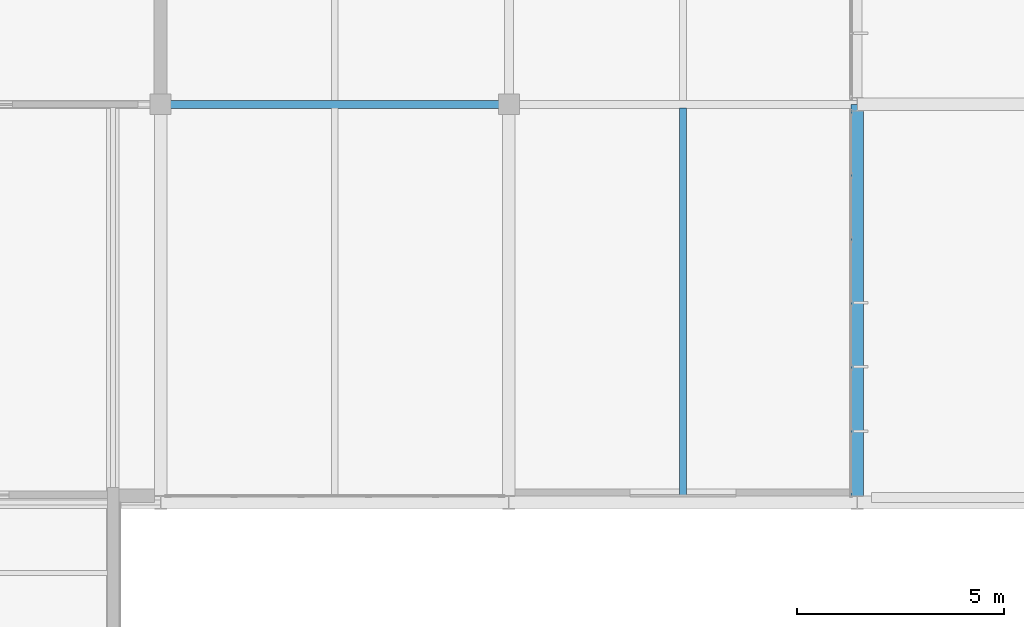
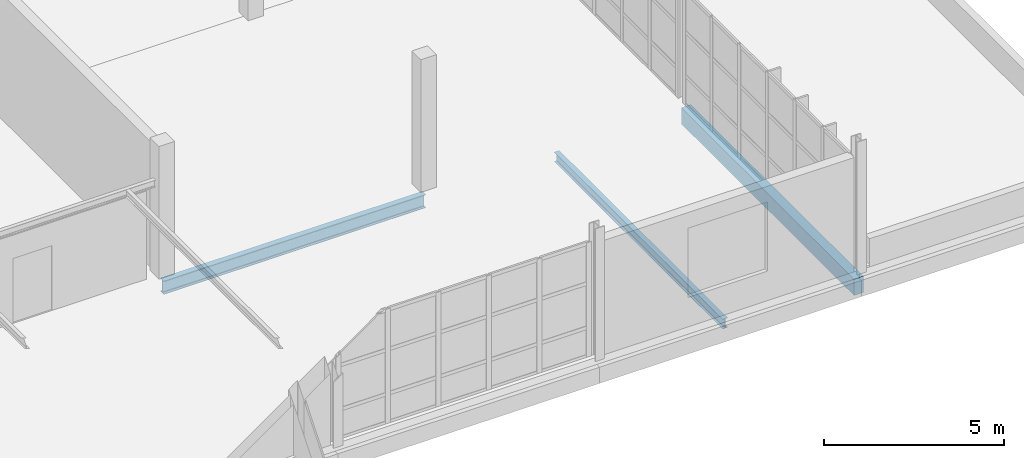
# One storey, part 71 of 103: 3 beams.
"""IFC4 building model written with IfcOpenShell, lengths in metres."""

from ifc_helpers import new_model, si_unit, direction, frame, origin, origin_2d, place, context, subcontext, project, spatial, rectangle, i_section, extrude, material, material_profile, profile_set, type_object, element, save


model = new_model("IFC4")

# Units and contexts
model_context = context("Model", 3, precision=1e-05, world=origin(), true_north=direction((0.0, 1.0)))
body_context = subcontext(model_context, "Body", "Model", "MODEL_VIEW")
ifc_project = project(units=[si_unit("LENGTHUNIT", "METRE"), si_unit("AREAUNIT", "SQUARE_METRE"), si_unit("VOLUMEUNIT", "CUBIC_METRE"), si_unit("PLANEANGLEUNIT", "RADIAN"), si_unit("MASSUNIT", "GRAM", prefix="KILO")], contexts=[model_context])

# Site, building, storey
site_placement = place(None, origin())
site = spatial("IfcSite", under=ifc_project, at=site_placement, CompositionType="ELEMENT")
building_placement = place(site_placement, origin())
building = spatial("IfcBuilding", under=site, at=building_placement, Name="Veltarok Museum of Natural Sciences", CompositionType="ELEMENT")
storey_placement = place(building_placement, frame((0.0, 0.0, 21.89990234375)))
storey = spatial("IfcBuildingStorey", under=building, at=storey_placement, Name="L04", CompositionType="ELEMENT", Elevation=21.89990234375)

# Beams
ifc_material_1 = material(Name="Precast concrete C40/50", Category="concrete")
ifc_material_profile_1 = material_profile(ifc_material_1, rectangle(XDim=0.300048828125, YDim=0.550048828125, at=origin_2d()), Name="RC 300x550")
ifc_profile_set_1 = profile_set([ifc_material_profile_1], Name="Precast concrete C40/50")
beam_type_1 = type_object("IfcBeamType", Name="East Wing Precast Spandrel RC 300x550", PredefinedType="SPANDREL", material=ifc_profile_set_1)
beam_1_placement = place(storey_placement, frame((149.199951171875, 0.0, -0.52490234375), z_axis=(0.0, 1.0, 0.0), x_axis=(-1.0, 0.0, 0.0)))
element("IfcBeam", 1, at=beam_1_placement, inside=storey, type_object=beam_type_1, Name="Beam BM-SP02 L04 18/A-B", PredefinedType="SPANDREL", context=body_context, shape_type="SweptSolid", body=[
    extrude(rectangle(XDim=0.300048828125, YDim=0.550048828125, at=origin_2d()), origin(), (0.0, 0.0, 1.0), 9.60009765625),
])
ifc_material_2 = material(Name="Steel S355J2", Category="steel")
ifc_material_profile_2 = material_profile(ifc_material_2, i_section(OverallWidth=0.18994140625, OverallDepth=0.449951171875, WebThickness=0.009521484375, FlangeThickness=0.0146484375, FilletRadius=0.02099609375, at=origin_2d()), Name="IPE 450")
ifc_profile_set_2 = profile_set([ifc_material_profile_2], Name="Steel S355J2")
beam_type_2 = type_object("IfcBeamType", Name="Laboratory Floor Girder IPE 450", PredefinedType="BEAM", material=ifc_profile_set_2)
beam_2_placement = place(storey_placement, frame((132.39990234375, 9.60009765625, -0.474853515625), z_axis=(1.0, 0.0, 0.0), x_axis=(0.0, 1.0, 0.0)))
element("IfcBeam", 2, at=beam_2_placement, inside=storey, type_object=beam_type_2, Name="Beam BM-G05 L04 16-17/B", PredefinedType="BEAM", context=body_context, shape_type="SweptSolid", body=[
    extrude(i_section(OverallWidth=0.18994140625, OverallDepth=0.449951171875, WebThickness=0.009521484375, FlangeThickness=0.0146484375, FilletRadius=0.02099609375, at=origin_2d()), origin(), (0.0, 0.0, 1.0), 8.400146484375),
])
ifc_material_profile_3 = material_profile(ifc_material_2, i_section(OverallWidth=0.159912109375, OverallDepth=0.330078125, WebThickness=0.007568359375, FlangeThickness=0.011474609375, FilletRadius=0.01806640625, at=origin_2d()), Name="IPE 330")
ifc_profile_set_3 = profile_set([ifc_material_profile_3], Name="Steel S355J2")
beam_type_3 = type_object("IfcBeamType", Name="Medium-Bay Composite Joist IPE 330", PredefinedType="JOIST", material=ifc_profile_set_3)
beam_3_placement = place(storey_placement, frame((145.0, 0.14794921875, -0.414794921875), z_axis=(0.0, 1.0, 0.0), x_axis=(-1.0, 0.0, 0.0)))
element("IfcBeam", 3, at=beam_3_placement, inside=storey, type_object=beam_type_3, Name="Secondary Joist BM-J02 L04 17-18/A-B.1", PredefinedType="JOIST", context=body_context, shape_type="SweptSolid", body=[
    extrude(i_section(OverallWidth=0.159912109375, OverallDepth=0.330078125, WebThickness=0.007568359375, FlangeThickness=0.011474609375, FilletRadius=0.01806640625, at=origin_2d()), origin(), (0.0, 0.0, 1.0), 9.359130859375),
])

save(model, "model.ifc")
